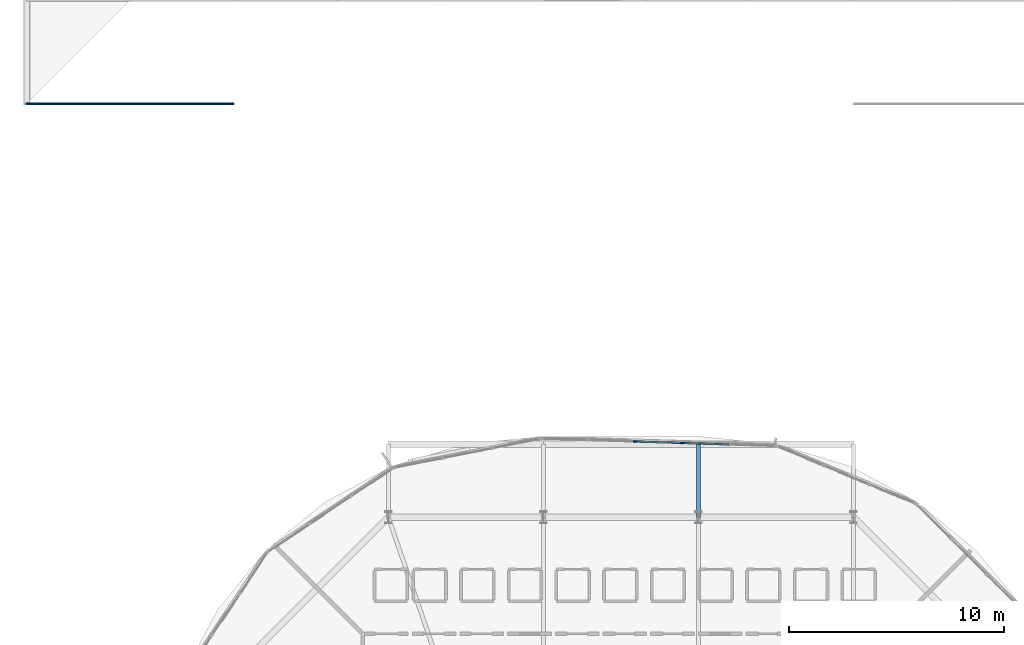
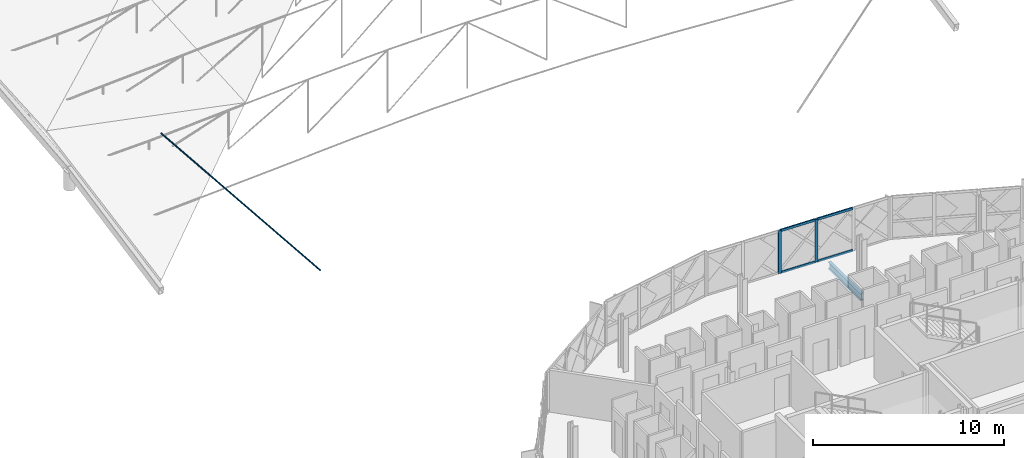
# One storey, part 12 of 50: 7 members, 1 beam, 1 element without a shape of its own.
"""IFC4 building model written with IfcOpenShell, lengths in metres."""

from ifc_helpers import new_model, si_unit, direction, frame, origin, origin_2d, place, context, subcontext, project, spatial, rectangle, circle, i_section, extrude, material, layer, layer_set, material_profile, profile_set, type_object, element, aggregate, save


model = new_model("IFC4")

# Units and contexts
model_context = context("Model", 3, precision=1e-05, world=origin(), true_north=direction((0.0, 1.0)))
body_context = subcontext(model_context, "Body", "Model", "MODEL_VIEW")
ifc_project = project(units=[si_unit("LENGTHUNIT", "METRE"), si_unit("AREAUNIT", "SQUARE_METRE"), si_unit("VOLUMEUNIT", "CUBIC_METRE"), si_unit("PLANEANGLEUNIT", "RADIAN"), si_unit("MASSUNIT", "GRAM", prefix="KILO")], contexts=[model_context])

# Site, building, storey
site_placement = place(None, origin())
site = spatial("IfcSite", under=ifc_project, at=site_placement, CompositionType="ELEMENT")
building_placement = place(site_placement, origin())
building = spatial("IfcBuilding", under=site, at=building_placement, Name="Zevrakil Square Congress Hotel", CompositionType="ELEMENT")
storey_placement = place(building_placement, frame((0.0, 0.0, 21.5)))
storey = spatial("IfcBuildingStorey", under=building, at=storey_placement, Name="L06", CompositionType="ELEMENT", Elevation=21.5)

# Beam
ifc_material_1 = material(Name="Steel S355", Category="steel")
ifc_material_profile_1 = material_profile(ifc_material_1, i_section(OverallWidth=0.18994140625, OverallDepth=0.449951171875, WebThickness=0.009521484375, FlangeThickness=0.0146484375, FilletRadius=0.02099609375, at=origin_2d()), Name="IPE 450")
ifc_profile_set_1 = profile_set([ifc_material_profile_1], Name="Steel S355")
beam_type = type_object("IfcBeamType", Name="BM-IPE450", PredefinedType="BEAM", material=ifc_profile_set_1)
beam_placement = place(storey_placement, frame((148.800048828125, 45.60009765625, -0.4150390625), z_axis=(0.0, 1.0, 0.0), x_axis=(-1.0, 0.0, 0.0)))
element("IfcBeam", 1, at=beam_placement, inside=storey, type_object=beam_type, Name="L06 drum radial edge cantilever beam DRO-10", PredefinedType="BEAM", context=body_context, shape_type="SweptSolid", body=[
    extrude(i_section(OverallWidth=0.18994140625, OverallDepth=0.449951171875, WebThickness=0.009521484375, FlangeThickness=0.0146484375, FilletRadius=0.02099609375, at=origin_2d()), origin(), (0.0, 0.0, 1.0), 3.39990234375),
])

# Curtain wall, members
ifc_material_2 = material(Name="Aluminium Anodised Bronze", Category="aluminium")
ifc_layer = layer(ifc_material_2, 0.179931640625)
ifc_layer_set = layer_set([ifc_layer], Name="Aluminium Anodised Bronze")
curtain_wall_type = type_object("IfcCurtainWallType", Name="CW-L06-900", PredefinedType="USERDEFINED", material=ifc_layer_set)
curtain_wall_placement = place(storey_placement, origin())
curtain_wall = element("IfcCurtainWall", 2, at=curtain_wall_placement, inside=storey, type_object=curtain_wall_type, Name="L06 diamond curtain wall CW-L06-0209", ObjectType="GLAZED CURTAIN WALL", PredefinedType="USERDEFINED")
ifc_material_3 = material(Name="Aluminium Anodised Bronze", Category="aluminium")
ifc_material_profile_2 = material_profile(ifc_material_3, rectangle(XDim=0.074951171875, YDim=0.14990234375, at=origin_2d()), Name="ALU 75x150")
ifc_profile_set_2 = profile_set([ifc_material_profile_2], Name="Aluminium Anodised Bronze")
member_type_1 = type_object("IfcMemberType", Name="CWM-ALU75x150", PredefinedType="USERDEFINED", material=ifc_profile_set_2)
member_1_placement = place(storey_placement, frame((150.1953125, 48.98486328125, 0.030029296875), z_axis=(-0.999500114685, 0.031615198015, 0.0), x_axis=(-0.031615198015, -0.999500114685, 0.0)))
member_1 = element("IfcMember", 3, at=member_1_placement, type_object=member_type_1, Name="CW-72 transom 2.1", ObjectType="TRANSOM", PredefinedType="USERDEFINED", context=body_context, shape_type="SweptSolid", body=[
    extrude(rectangle(XDim=0.074951171875, YDim=0.14990234375, at=origin_2d()), origin(), (0.0, 0.0, 1.0), 2.12353515625),
])
member_2_placement = place(storey_placement, frame((150.1953125, 48.98486328125, 2.699951171875), z_axis=(-0.999500114685, 0.031615198015, 0.0), x_axis=(-0.031615198015, -0.999500114685, 0.0)))
member_2 = element("IfcMember", 4, at=member_2_placement, type_object=member_type_1, Name="CW-72 transom 2.2", ObjectType="TRANSOM", PredefinedType="USERDEFINED", context=body_context, shape_type="SweptSolid", body=[
    extrude(rectangle(XDim=0.074951171875, YDim=0.14990234375, at=origin_2d()), origin(), (0.0, 0.0, 1.0), 2.12353515625),
])
member_3_placement = place(storey_placement, frame((148.0126953125, 49.053955078125, 0.030029296875), z_axis=(-0.999500114685, 0.031615198015, 0.0), x_axis=(-0.031615198015, -0.999500114685, 0.0)))
member_3 = element("IfcMember", 5, at=member_3_placement, type_object=member_type_1, Name="CW-72 transom 3.1", ObjectType="TRANSOM", PredefinedType="USERDEFINED", context=body_context, shape_type="SweptSolid", body=[
    extrude(rectangle(XDim=0.074951171875, YDim=0.14990234375, at=origin_2d()), origin(), (0.0, 0.0, 1.0), 2.12353515625),
])
member_4_placement = place(storey_placement, frame((148.0126953125, 49.053955078125, 2.699951171875), z_axis=(-0.999500114685, 0.031615198015, 0.0), x_axis=(-0.031615198015, -0.999500114685, 0.0)))
member_4 = element("IfcMember", 6, at=member_4_placement, type_object=member_type_1, Name="CW-72 transom 3.2", ObjectType="TRANSOM", PredefinedType="USERDEFINED", context=body_context, shape_type="SweptSolid", body=[
    extrude(rectangle(XDim=0.074951171875, YDim=0.14990234375, at=origin_2d()), origin(), (0.0, 0.0, 1.0), 2.12353515625),
])
ifc_material_4 = material(Name="Aluminium Anodised Bronze", Category="aluminium")
ifc_material_profile_3 = material_profile(ifc_material_4, rectangle(XDim=0.074951171875, YDim=0.179931640625, at=origin_2d()), Name="ALU 75x180")
ifc_profile_set_3 = profile_set([ifc_material_profile_3], Name="Aluminium Anodised Bronze")
member_type_2 = type_object("IfcMemberType", Name="CWM-ALU75x180", PredefinedType="MULLION", material=ifc_profile_set_3)
member_5_placement = place(storey_placement, frame((148.042724609375, 49.052978515625, 0.0), z_axis=(0.0, 0.0, 1.0), x_axis=(-0.031598464383, -0.999500643846, 0.0)))
member_5 = element("IfcMember", 7, at=member_5_placement, type_object=member_type_2, Name="CW-72 mullion 3", PredefinedType="MULLION", context=body_context, shape_type="SweptSolid", body=[
    extrude(rectangle(XDim=0.074951171875, YDim=0.179931640625, at=origin_2d()), origin(), (0.0, 0.0, 1.0), 2.72998046875),
])
member_6_placement = place(storey_placement, frame((145.860107421875, 49.1220703125, 0.0), z_axis=(0.0, 0.0, 1.0), x_axis=(-0.031598464383, -0.999500643846, 0.0)))
member_6 = element("IfcMember", 8, at=member_6_placement, type_object=member_type_2, Name="CW-72 mullion 4", PredefinedType="MULLION", context=body_context, shape_type="SweptSolid", body=[
    extrude(rectangle(XDim=0.074951171875, YDim=0.179931640625, at=origin_2d()), origin(), (0.0, 0.0, 1.0), 2.72998046875),
])
aggregate(curtain_wall, [member_5, member_6, member_1, member_2, member_3, member_4])

# Member
ifc_material_5 = material(Name="Steel S355", Category="steel")
ifc_material_profile_4 = material_profile(ifc_material_5, circle(Radius=0.0439453125, at=origin_2d()), Name="CABLE RD88")
ifc_profile_set_4 = profile_set([ifc_material_profile_4], Name="Steel S355")
member_type_3 = type_object("IfcMemberType", Name="MEM-CABLE-RD88", PredefinedType="USERDEFINED", material=ifc_profile_set_4)
member_7_placement = place(storey_placement, frame((117.60009765625, 64.800048828125, 9.300048828125), z_axis=(0.621584422805, 0.0, -0.783347180582), x_axis=(0.0, 1.0, 0.0)))
element("IfcMember", 9, at=member_7_placement, inside=storey, type_object=member_type_3, Name="Mast MS-01 locked-coil stay cable CS-11", ObjectType="ROOF CABLE", PredefinedType="USERDEFINED", context=body_context, shape_type="SweptSolid", body=[
    extrude(circle(Radius=0.0439453125, at=origin_2d()), origin(), (0.0, 0.0, 1.0), 15.444091796875),
])

save(model, "model.ifc")
